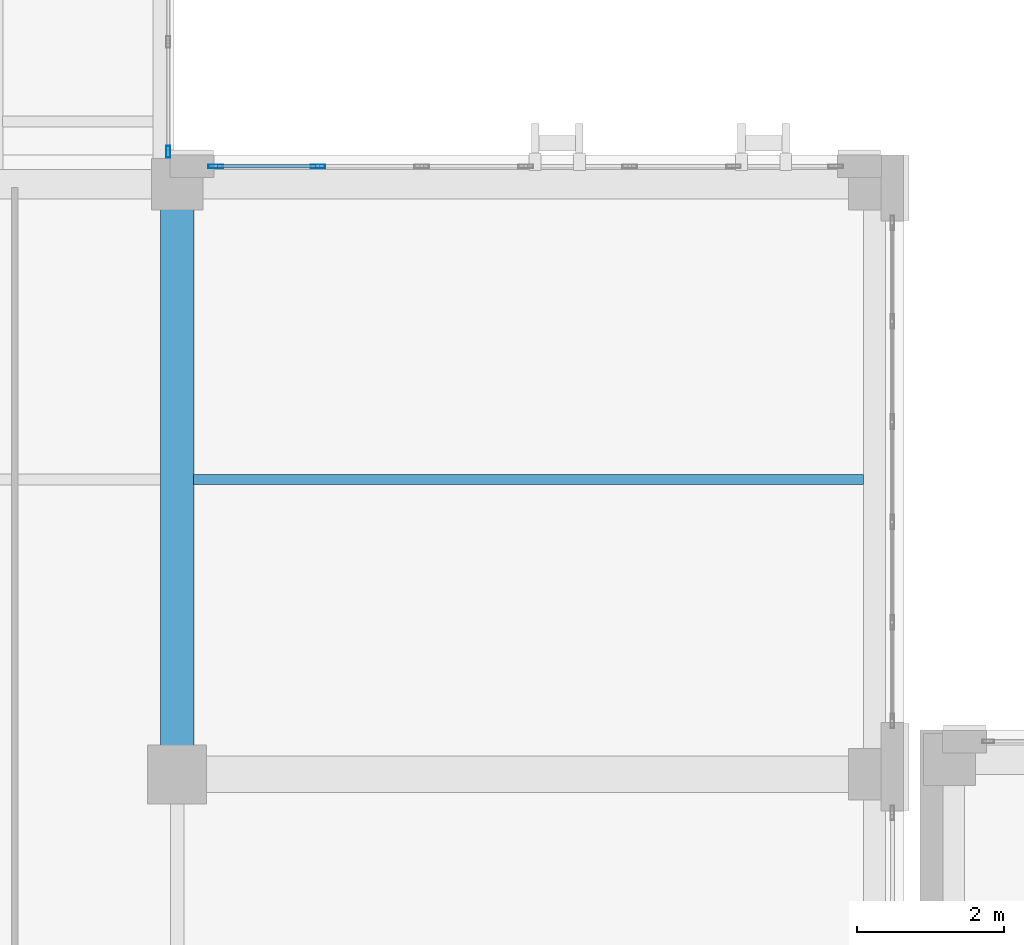
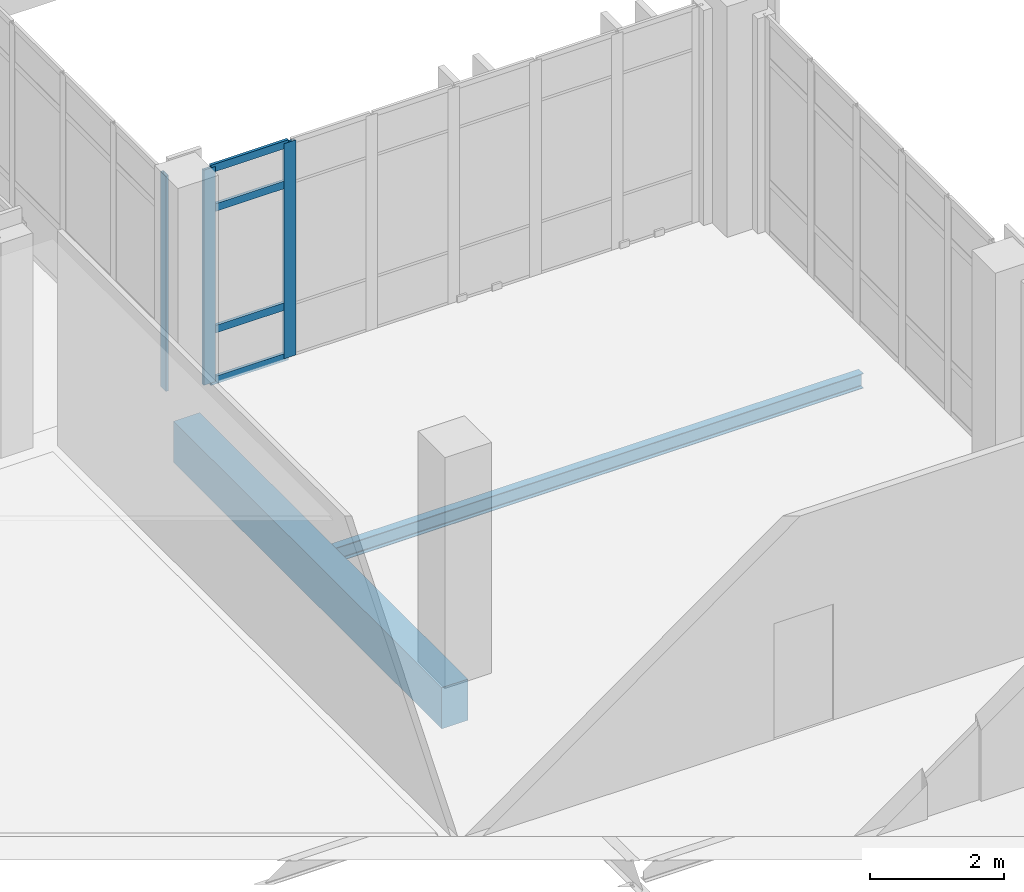
# One storey, part 43 of 193: 7 members, 2 beams, 2 elements without a shape of their own.
"""IFC4 building model written with IfcOpenShell, lengths in metres."""

from ifc_helpers import new_model, si_unit, direction, frame, origin, origin_2d, place, context, subcontext, project, spatial, rectangle, hollow_rectangle, i_section, extrude, material, layer, layer_set, material_profile, profile_set, type_object, element, aggregate, save


model = new_model("IFC4")

# Units and contexts
model_context = context("Model", 3, precision=1e-05, world=origin(), true_north=direction((0.0, 1.0)))
body_context = subcontext(model_context, "Body", "Model", "MODEL_VIEW")
ifc_project = project(units=[si_unit("LENGTHUNIT", "METRE"), si_unit("AREAUNIT", "SQUARE_METRE"), si_unit("VOLUMEUNIT", "CUBIC_METRE"), si_unit("PLANEANGLEUNIT", "RADIAN"), si_unit("MASSUNIT", "GRAM", prefix="KILO")], contexts=[model_context])

# Site, building, storey
site_placement = place(None, origin())
site = spatial("IfcSite", under=ifc_project, at=site_placement, CompositionType="ELEMENT")
building_placement = place(site_placement, origin())
building = spatial("IfcBuilding", under=site, at=building_placement, Name="Qalavern Law Courts", CompositionType="ELEMENT")
storey_placement = place(building_placement, frame((0.0, 0.0, 10.199951171875)))
storey = spatial("IfcBuildingStorey", under=building, at=storey_placement, Name="L02", CompositionType="ELEMENT", Elevation=10.199951171875)

# Curtain wall, member
ifc_material_1 = material(Name="Anodised aluminium and insulated glazing", Category="aluminium")
ifc_layer_1 = layer(ifc_material_1, 0.14990234375)
ifc_layer_set_1 = layer_set([ifc_layer_1], Name="Anodised aluminium and insulated glazing")
curtain_wall_type_1 = type_object("IfcCurtainWallType", Name="ENV-CW-BRG", PredefinedType="USERDEFINED", material=ifc_layer_set_1)
curtain_wall_1_placement = place(storey_placement, origin())
curtain_wall_1 = element("IfcCurtainWall", 1, at=curtain_wall_1_placement, inside=storey, type_object=curtain_wall_type_1, Name="Bridge BR-V2-V4 glazed curtain wall L02-2", ObjectType="UNITISED CURTAIN WALL", PredefinedType="USERDEFINED")
ifc_material_2 = material(Name="Anodised aluminium", Category="aluminium")
ifc_material_profile_1 = material_profile(ifc_material_2, hollow_rectangle(XDim=0.048095703125, YDim=0.159912109375, WallThickness=0.00390625, at=origin_2d()), Name="ALU MULLION 48x160")
ifc_profile_set_1 = profile_set([ifc_material_profile_1], Name="Anodised aluminium")
member_type_1 = type_object("IfcMemberType", Name="ENV-CWM-48x160", PredefinedType="MULLION", material=ifc_profile_set_1)
member_1_placement = place(storey_placement, frame((91.22509765625, 30.444091796875, 0.0), z_axis=(0.0, 0.0, 1.0), x_axis=(-1.0, 0.0, 0.0)))
member_1 = element("IfcMember", 2, at=member_1_placement, type_object=member_type_1, Name="CW-06 mullion 1", PredefinedType="MULLION", context=body_context, shape_type="SweptSolid", body=[
    extrude(hollow_rectangle(XDim=0.048095703125, YDim=0.159912109375, WallThickness=0.00390625, at=origin_2d()), origin(), (0.0, 0.0, 1.0), 3.9150390625),
])
aggregate(curtain_wall_1, [member_1])

# Curtain wall, members
ifc_layer_2 = layer(ifc_material_1, 0.18505859375)
ifc_layer_set_2 = layer_set([ifc_layer_2], Name="Anodised aluminium and insulated glazing")
curtain_wall_type_2 = type_object("IfcCurtainWallType", Name="ENV-CW-HALL", PredefinedType="USERDEFINED", material=ifc_layer_set_2)
curtain_wall_2_placement = place(storey_placement, origin())
curtain_wall_2 = element("IfcCurtainWall", 3, at=curtain_wall_2_placement, inside=storey, type_object=curtain_wall_type_2, Name="V2 unitised curtain wall L02 north 1", ObjectType="UNITISED CURTAIN WALL", PredefinedType="USERDEFINED")
ifc_material_profile_2 = material_profile(ifc_material_2, hollow_rectangle(XDim=0.048095703125, YDim=0.199951171875, WallThickness=0.00439453125, at=origin_2d()), Name="ALU MULLION 48x200")
ifc_profile_set_2 = profile_set([ifc_material_profile_2], Name="Anodised aluminium")
member_type_2 = type_object("IfcMemberType", Name="ENV-CWM-48x200", PredefinedType="MULLION", material=ifc_profile_set_2)
member_2_placement = place(storey_placement, frame((93.254638671875, 30.2451171875, 0.0), z_axis=(0.0, 0.0, 1.0), x_axis=(0.0, -1.0, 0.0)))
member_2 = element("IfcMember", 4, at=member_2_placement, type_object=member_type_2, Name="CW-02 mullion 6", PredefinedType="MULLION", context=body_context, shape_type="SweptSolid", body=[
    extrude(hollow_rectangle(XDim=0.048095703125, YDim=0.199951171875, WallThickness=0.00439453125, at=origin_2d()), origin(), (0.0, 0.0, 1.0), 3.9150390625),
])
member_3_placement = place(storey_placement, frame((91.86962890625, 30.2451171875, 0.0), z_axis=(0.0, 0.0, 1.0), x_axis=(0.0, -1.0, 0.0)))
member_3 = element("IfcMember", 5, at=member_3_placement, type_object=member_type_2, Name="CW-02 mullion 7", PredefinedType="MULLION", context=body_context, shape_type="SweptSolid", body=[
    extrude(hollow_rectangle(XDim=0.048095703125, YDim=0.199951171875, WallThickness=0.00439453125, at=origin_2d()), origin(), (0.0, 0.0, 1.0), 3.9150390625),
])
ifc_material_profile_3 = material_profile(ifc_material_2, hollow_rectangle(XDim=0.048095703125, YDim=0.139892578125, WallThickness=0.00390625, at=origin_2d()), Name="ALU TRANSOM 48x140")
ifc_profile_set_3 = profile_set([ifc_material_profile_3], Name="Anodised aluminium")
member_type_3 = type_object("IfcMemberType", Name="ENV-CWT-48x140", PredefinedType="USERDEFINED", material=ifc_profile_set_3)
member_4_placement = place(storey_placement, frame((93.230712890625, 30.2451171875, 0.024169921875), z_axis=(-1.0, 0.0, 0.0), x_axis=(0.0, -1.0, 0.0)))
member_4 = element("IfcMember", 6, at=member_4_placement, type_object=member_type_3, Name="CW-02 transom 6.1", ObjectType="TRANSOM", PredefinedType="USERDEFINED", context=body_context, shape_type="SweptSolid", body=[
    extrude(hollow_rectangle(XDim=0.048095703125, YDim=0.139892578125, WallThickness=0.00390625, at=origin_2d()), origin(), (0.0, 0.0, 1.0), 1.3369140625),
])
member_5_placement = place(storey_placement, frame((93.230712890625, 30.2451171875, 0.949951171875), z_axis=(-1.0, 0.0, 0.0), x_axis=(0.0, -1.0, 0.0)))
member_5 = element("IfcMember", 7, at=member_5_placement, type_object=member_type_3, Name="CW-02 transom 6.2", ObjectType="TRANSOM", PredefinedType="USERDEFINED", context=body_context, shape_type="SweptSolid", body=[
    extrude(hollow_rectangle(XDim=0.048095703125, YDim=0.139892578125, WallThickness=0.00390625, at=origin_2d()), origin(), (0.0, 0.0, 1.0), 1.3369140625),
])
member_6_placement = place(storey_placement, frame((93.230712890625, 30.2451171875, 3.1650390625), z_axis=(-1.0, 0.0, 0.0), x_axis=(0.0, -1.0, 0.0)))
member_6 = element("IfcMember", 8, at=member_6_placement, type_object=member_type_3, Name="CW-02 transom 6.3", ObjectType="TRANSOM", PredefinedType="USERDEFINED", context=body_context, shape_type="SweptSolid", body=[
    extrude(hollow_rectangle(XDim=0.048095703125, YDim=0.139892578125, WallThickness=0.00390625, at=origin_2d()), origin(), (0.0, 0.0, 1.0), 1.3369140625),
])
member_7_placement = place(storey_placement, frame((93.230712890625, 30.2451171875, 3.89111328125), z_axis=(-1.0, 0.0, 0.0), x_axis=(0.0, -1.0, 0.0)))
member_7 = element("IfcMember", 9, at=member_7_placement, type_object=member_type_3, Name="CW-02 transom 6.4", ObjectType="TRANSOM", PredefinedType="USERDEFINED", context=body_context, shape_type="SweptSolid", body=[
    extrude(hollow_rectangle(XDim=0.048095703125, YDim=0.139892578125, WallThickness=0.00390625, at=origin_2d()), origin(), (0.0, 0.0, 1.0), 1.3369140625),
])
aggregate(curtain_wall_2, [member_2, member_3, member_4, member_5, member_6, member_7])

# Beams
ifc_material_3 = material(Name="Concrete C40/50", Category="concrete")
ifc_material_profile_4 = material_profile(ifc_material_3, rectangle(XDim=0.449951171875, YDim=0.75, at=origin_2d()), Name="RC 450x750")
ifc_profile_set_4 = profile_set([ifc_material_profile_4], Name="Concrete C40/50")
beam_type_1 = type_object("IfcBeamType", Name="STR-BM-RC450x750", PredefinedType="BEAM", material=ifc_profile_set_4)
beam_1_placement = place(storey_placement, frame((91.345703125, 22.0, -0.6650390625), z_axis=(0.0, 1.0, 0.0), x_axis=(-1.0, 0.0, 0.0)))
element("IfcBeam", 10, at=beam_1_placement, inside=storey, type_object=beam_type_1, Name="V2 Y-beam 7-3 L02", PredefinedType="BEAM", context=body_context, shape_type="SweptSolid", body=[
    extrude(rectangle(XDim=0.449951171875, YDim=0.75, at=origin_2d()), origin(), (0.0, 0.0, 1.0), 8.0),
])
ifc_material_4 = material(Name="Steel S355", Category="steel")
ifc_material_profile_5 = material_profile(ifc_material_4, i_section(OverallWidth=0.135009765625, OverallDepth=0.27001953125, WebThickness=0.006591796875, FlangeThickness=0.01025390625, FilletRadius=0.014892578125, at=origin_2d()), Name="IPE 270")
ifc_profile_set_5 = profile_set([ifc_material_profile_5], Name="Steel S355")
beam_type_2 = type_object("IfcBeamType", Name="STR-JST-IPE270", PredefinedType="JOIST", material=ifc_profile_set_5)
beam_2_placement = place(storey_placement, frame((91.568603515625, 26.0, -0.425048828125), z_axis=(1.0, 0.0, 0.0), x_axis=(0.0, 1.0, 0.0)))
element("IfcBeam", 11, at=beam_2_placement, inside=storey, type_object=beam_type_2, Name="V2 secondary joist 7.3.1 L02", PredefinedType="JOIST", context=body_context, shape_type="SweptSolid", body=[
    extrude(i_section(OverallWidth=0.135009765625, OverallDepth=0.27001953125, WebThickness=0.006591796875, FlangeThickness=0.01025390625, FilletRadius=0.014892578125, at=origin_2d()), origin(), (0.0, 0.0, 1.0), 9.08349609375),
])

save(model, "model.ifc")
